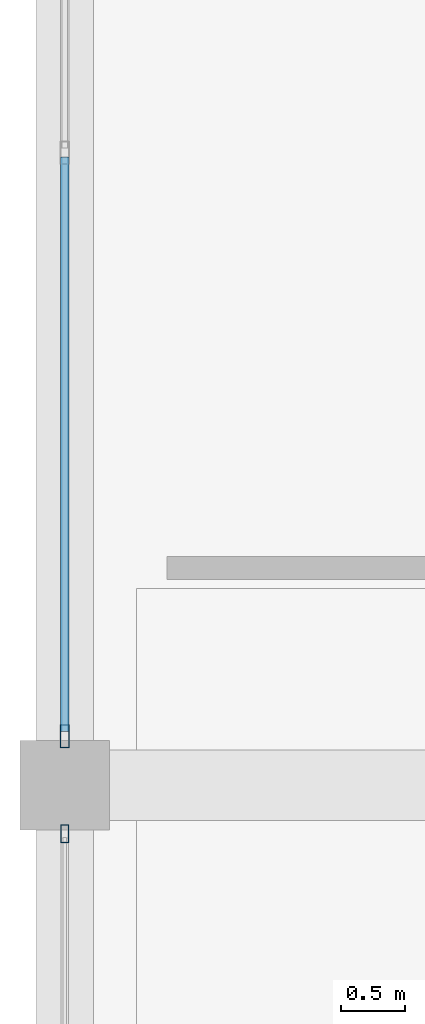
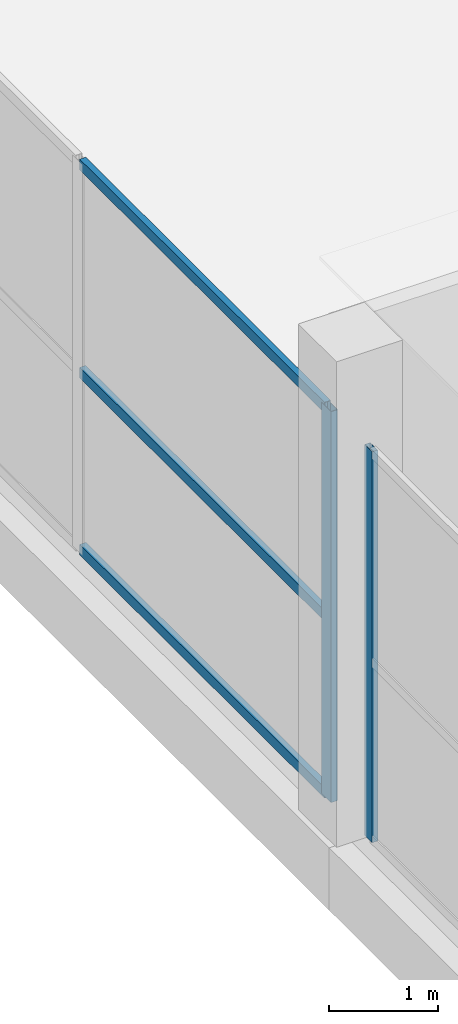
# One storey, part 16 of 72: 5 members, 2 elements without a shape of their own.
"""IFC4 building model written with IfcOpenShell, lengths in metres."""

from ifc_helpers import new_model, si_unit, direction, frame, origin, origin_2d, place, context, subcontext, project, spatial, hollow_rectangle, extrude, material, layer, layer_set, material_profile, profile_set, type_object, element, aggregate, save


model = new_model("IFC4")

# Units and contexts
model_context = context("Model", 3, precision=1e-05, world=origin(), true_north=direction((0.0, 1.0)))
body_context = subcontext(model_context, "Body", "Model", "MODEL_VIEW")
ifc_project = project(units=[si_unit("LENGTHUNIT", "METRE"), si_unit("AREAUNIT", "SQUARE_METRE"), si_unit("VOLUMEUNIT", "CUBIC_METRE"), si_unit("PLANEANGLEUNIT", "RADIAN"), si_unit("MASSUNIT", "GRAM", prefix="KILO")], contexts=[model_context])

# Site, building, storey
site_placement = place(None, origin())
site = spatial("IfcSite", under=ifc_project, at=site_placement, CompositionType="ELEMENT")
building_placement = place(site_placement, origin())
building = spatial("IfcBuilding", under=site, at=building_placement, Name="Sillaruma Civic Art Gallery", CompositionType="ELEMENT")
storey_placement = place(building_placement, frame((0.0, 0.0, 10.8798828125)))
storey = spatial("IfcBuildingStorey", under=building, at=storey_placement, Name="L02", CompositionType="ELEMENT", Elevation=10.8798828125)

# Curtain wall, member
ifc_material = material(Name="Thermally Broken Extruded Aluminium 6063-T6", Category="aluminium")
ifc_layer_1 = layer(ifc_material, 0.139892578125, Name="Thermally Broken Extruded Aluminium 6063-T6")
ifc_layer_set_1 = layer_set([ifc_layer_1], Name="Thermally Broken Extruded Aluminium 6063-T6")
curtain_wall_type_1 = type_object("IfcCurtainWallType", Name="CW-UNI-08", PredefinedType="NOTDEFINED", material=ifc_layer_set_1)
curtain_wall_1_placement = place(storey_placement, origin())
curtain_wall_1 = element("IfcCurtainWall", 1, at=curtain_wall_1_placement, inside=storey, type_object=curtain_wall_type_1, Name="Unitised Curtain Wall CW-08 (CW-L02-WSTR-1)", PredefinedType="NOTDEFINED")
ifc_material_profile_1 = material_profile(ifc_material, hollow_rectangle(XDim=0.06005859375, YDim=0.139892578125, WallThickness=0.00341796875, at=origin_2d()), Name="CWM60x140")
ifc_profile_set_1 = profile_set([ifc_material_profile_1], Name="Thermally Broken Extruded Aluminium 6063-T6")
member_type_1 = type_object("IfcMemberType", Name="MEM-MUL-CWM60x140", PredefinedType="MULLION", material=ifc_profile_set_1)
member_1_placement = place(storey_placement, frame((0.0, 88.719970703125, 0.0), z_axis=(0.0, 0.0, 1.0), x_axis=(-1.0, 0.0, 0.0)))
member_1 = element("IfcMember", 2, at=member_1_placement, type_object=member_type_1, Name="CW-08 mullion 3", PredefinedType="MULLION", context=body_context, shape_type="SweptSolid", body=[
    extrude(hollow_rectangle(XDim=0.06005859375, YDim=0.139892578125, WallThickness=0.00341796875, at=origin_2d()), origin(), (0.0, 0.0, 1.0), 4.380126953125),
])
aggregate(curtain_wall_1, [member_1])

# Curtain wall, members
ifc_layer_2 = layer(ifc_material, 0.179931640625, Name="Thermally Broken Extruded Aluminium 6063-T6")
ifc_layer_set_2 = layer_set([ifc_layer_2], Name="Thermally Broken Extruded Aluminium 6063-T6")
curtain_wall_type_2 = type_object("IfcCurtainWallType", Name="CW-UNI-09", PredefinedType="NOTDEFINED", material=ifc_layer_set_2)
curtain_wall_2_placement = place(storey_placement, origin())
curtain_wall_2 = element("IfcCurtainWall", 3, at=curtain_wall_2_placement, inside=storey, type_object=curtain_wall_type_2, Name="Unitised Curtain Wall CW-09 (CW-L02-WSTR-2)", PredefinedType="NOTDEFINED")
ifc_material_profile_2 = material_profile(ifc_material, hollow_rectangle(XDim=0.070068359375, YDim=0.179931640625, WallThickness=0.00390625, at=origin_2d()), Name="CWM70x180")
ifc_profile_set_2 = profile_set([ifc_material_profile_2], Name="Thermally Broken Extruded Aluminium 6063-T6")
member_type_2 = type_object("IfcMemberType", Name="MEM-MUL-CWM70x180", PredefinedType="MULLION", material=ifc_profile_set_2)
member_2_placement = place(storey_placement, frame((0.0, 89.485107421875, 0.0), z_axis=(0.0, 0.0, 1.0), x_axis=(-1.0, 0.0, 0.0)))
member_2 = element("IfcMember", 4, at=member_2_placement, type_object=member_type_2, Name="CW-09 mullion 1", PredefinedType="MULLION", context=body_context, shape_type="SweptSolid", body=[
    extrude(hollow_rectangle(XDim=0.070068359375, YDim=0.179931640625, WallThickness=0.00390625, at=origin_2d()), origin(), (0.0, 0.0, 1.0), 4.380126953125),
])
ifc_material_profile_3 = material_profile(ifc_material, hollow_rectangle(XDim=0.06494140625, YDim=0.1201171875, WallThickness=0.00341796875, at=origin_2d()), Name="CWT65x120")
ifc_profile_set_3 = profile_set([ifc_material_profile_3], Name="Thermally Broken Extruded Aluminium 6063-T6")
member_type_3 = type_object("IfcMemberType", Name="MEM-TRN-CWT65x120", PredefinedType="USERDEFINED", material=ifc_profile_set_3)
member_3_placement = place(storey_placement, frame((0.0, 89.52001953125, 0.03271484375), z_axis=(0.0, 1.0, 0.0), x_axis=(-1.0, 0.0, 0.0)))
member_3 = element("IfcMember", 5, at=member_3_placement, type_object=member_type_3, Name="CW-09 transom 1.1", ObjectType="TRANSOM", PredefinedType="USERDEFINED", context=body_context, shape_type="SweptSolid", body=[
    extrude(hollow_rectangle(XDim=0.06494140625, YDim=0.1201171875, WallThickness=0.00341796875, at=origin_2d()), origin(), (0.0, 0.0, 1.0), 4.494873046875),
])
member_4_placement = place(storey_placement, frame((0.0, 89.52001953125, 2.014892578125), z_axis=(0.0, 1.0, 0.0), x_axis=(-1.0, 0.0, 0.0)))
member_4 = element("IfcMember", 6, at=member_4_placement, type_object=member_type_3, Name="CW-09 transom 1.2", ObjectType="TRANSOM", PredefinedType="USERDEFINED", context=body_context, shape_type="SweptSolid", body=[
    extrude(hollow_rectangle(XDim=0.06494140625, YDim=0.1201171875, WallThickness=0.00341796875, at=origin_2d()), origin(), (0.0, 0.0, 1.0), 4.494873046875),
])
member_5_placement = place(storey_placement, frame((0.0, 89.52001953125, 4.34765625), z_axis=(0.0, 1.0, 0.0), x_axis=(-1.0, 0.0, 0.0)))
member_5 = element("IfcMember", 7, at=member_5_placement, type_object=member_type_3, Name="CW-09 transom 1.3", ObjectType="TRANSOM", PredefinedType="USERDEFINED", context=body_context, shape_type="SweptSolid", body=[
    extrude(hollow_rectangle(XDim=0.06494140625, YDim=0.1201171875, WallThickness=0.00341796875, at=origin_2d()), origin(), (0.0, 0.0, 1.0), 4.494873046875),
])
aggregate(curtain_wall_2, [member_2, member_3, member_4, member_5])

save(model, "model.ifc")
